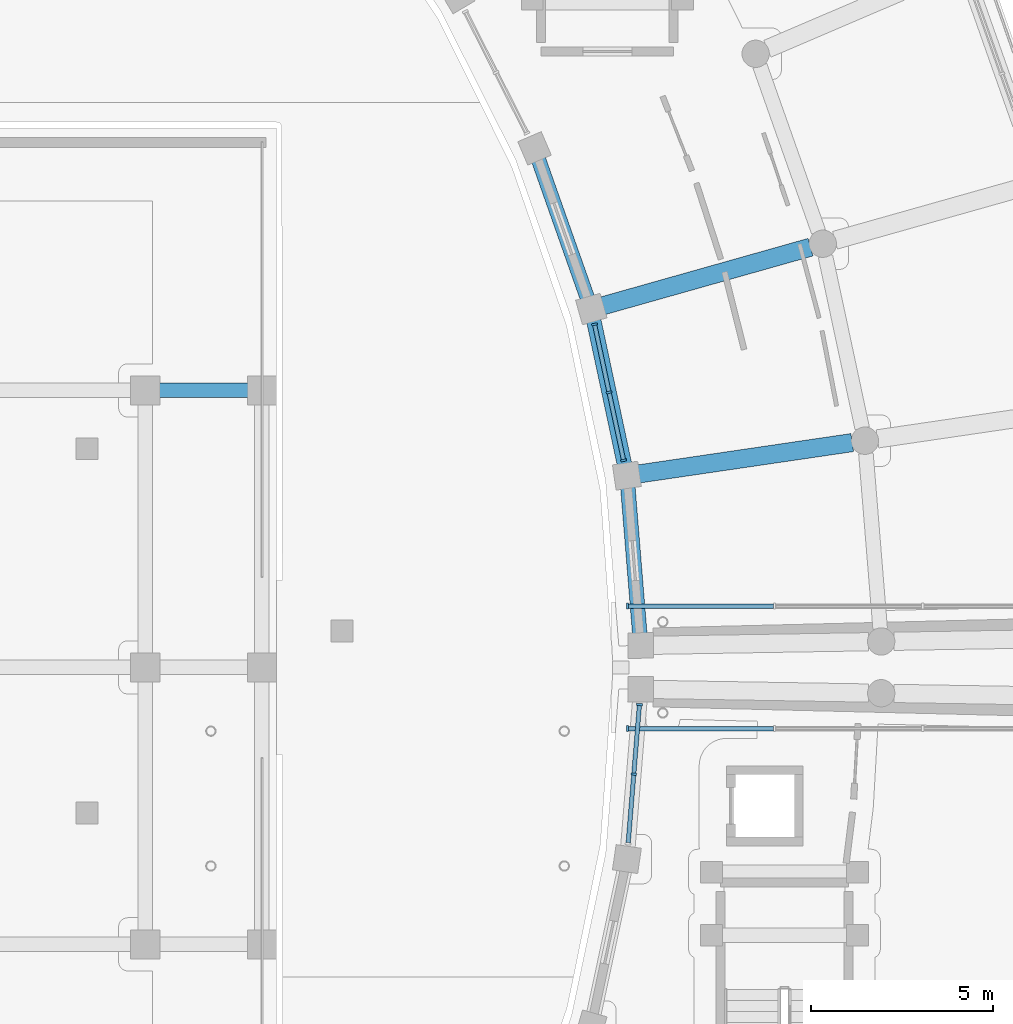
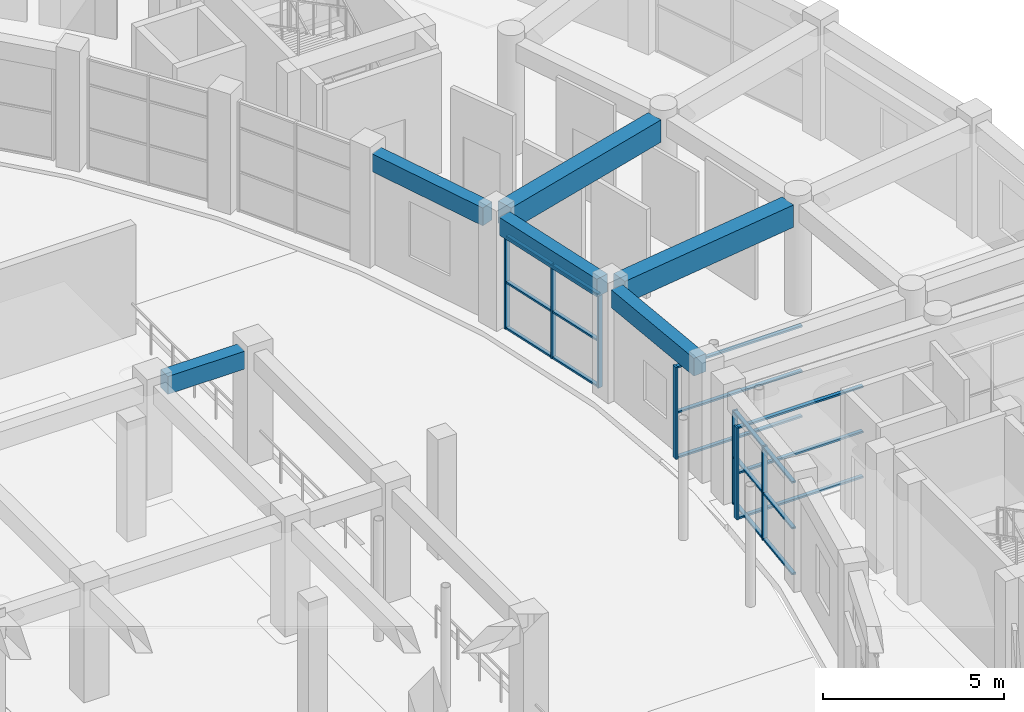
# One storey, part 36 of 87: 25 members, 6 beams, 4 elements without a shape of their own.
"""IFC4 building model written with IfcOpenShell, lengths in metres."""

from ifc_helpers import new_model, si_unit, direction, frame, origin, origin_2d, place, context, subcontext, project, spatial, rectangle, extrude, material, material_profile, profile_set, type_object, element, aggregate, save


model = new_model("IFC4")

# Units and contexts
model_context = context("Model", 3, precision=1e-05, world=origin(), true_north=direction((0.0, 1.0)))
body_context = subcontext(model_context, "Body", "Model", "MODEL_VIEW")
ifc_project = project(units=[si_unit("LENGTHUNIT", "METRE"), si_unit("AREAUNIT", "SQUARE_METRE"), si_unit("VOLUMEUNIT", "CUBIC_METRE"), si_unit("PLANEANGLEUNIT", "RADIAN"), si_unit("MASSUNIT", "GRAM", prefix="KILO")], contexts=[model_context])

# Site, building, storey
site_placement = place(None, origin())
site = spatial("IfcSite", under=ifc_project, at=site_placement, CompositionType="ELEMENT")
building_placement = place(site_placement, origin())
building = spatial("IfcBuilding", under=site, at=building_placement, Name="Saryqyr Civic Hall", CompositionType="ELEMENT")
storey_placement = place(building_placement, frame((0.0, 0.0, 5.10009765625)))
storey = spatial("IfcBuildingStorey", under=building, at=storey_placement, Name="L01", CompositionType="ELEMENT", Elevation=5.10009765625)

# Curtain wall, members
ifc_material_1 = material(Name="Anodised aluminium and triple low-E glass", Category="aluminium")
curtain_wall_type_1 = type_object("IfcCurtainWallType", Name="ENV-CW-STD-17", PredefinedType="NOTDEFINED", material=ifc_material_1)
curtain_wall_1_placement = place(storey_placement, origin())
curtain_wall_1 = element("IfcCurtainWall", 1, at=curtain_wall_1_placement, inside=storey, type_object=curtain_wall_type_1, Name="Curtain wall V5-CWI-L01-09", PredefinedType="NOTDEFINED")
ifc_material_2 = material(Name="Anodised aluminium", Category="aluminium")
ifc_material_profile_1 = material_profile(ifc_material_2, rectangle(XDim=0.06005859375, YDim=0.159912109375, at=origin_2d()), Name="ALU MULLION 60x160")
ifc_profile_set_1 = profile_set([ifc_material_profile_1], Name="Anodised aluminium")
member_type_1 = type_object("IfcMemberType", Name="ENV-CW-MUL-180", PredefinedType="MULLION", material=ifc_profile_set_1)
member_1_placement = place(storey_placement, frame((93.00537109375, 81.06982421875, 0.0), z_axis=(0.0, 0.0, 1.0), x_axis=(0.081125567196, 0.996703889, 0.0)))
member_1 = element("IfcMember", 2, at=member_1_placement, type_object=member_type_1, Name="CW-17 mullion 2", PredefinedType="MULLION", context=body_context, shape_type="SweptSolid", body=[
    extrude(rectangle(XDim=0.06005859375, YDim=0.159912109375, at=origin_2d()), origin(), (0.0, 0.0, 1.0), 3.14501953125),
])
member_2_placement = place(storey_placement, frame((93.160888671875, 82.97998046875, 0.0), z_axis=(0.0, 0.0, 1.0), x_axis=(0.081125567196, 0.996703889, 0.0)))
member_2 = element("IfcMember", 3, at=member_2_placement, type_object=member_type_1, Name="CW-17 mullion 3", PredefinedType="MULLION", context=body_context, shape_type="SweptSolid", body=[
    extrude(rectangle(XDim=0.06005859375, YDim=0.159912109375, at=origin_2d()), origin(), (0.0, 0.0, 1.0), 3.14501953125),
])

curtain_wall_2_placement = place(storey_placement, origin())
curtain_wall_2 = element("IfcCurtainWall", 4, at=curtain_wall_2_placement, inside=storey, type_object=curtain_wall_type_1, Name="Curtain wall V6-CWI-L01-01", PredefinedType="NOTDEFINED")
member_3_placement = place(storey_placement, frame((92.726318359375, 89.679443359375, 0.0), z_axis=(0.0, 0.0, 1.0), x_axis=(-0.208889731918, 0.977939200513, 0.0)))
member_3 = element("IfcMember", 5, at=member_3_placement, type_object=member_type_1, Name="CW-17 mullion 1", PredefinedType="MULLION", context=body_context, shape_type="SweptSolid", body=[
    extrude(rectangle(XDim=0.06005859375, YDim=0.159912109375, at=origin_2d()), origin(), (0.0, 0.0, 1.0), 3.14501953125),
])
member_4_placement = place(storey_placement, frame((92.327392578125, 91.546142578125, 0.0), z_axis=(0.0, 0.0, 1.0), x_axis=(-0.208889731918, 0.977939200513, 0.0)))
member_4 = element("IfcMember", 6, at=member_4_placement, type_object=member_type_1, Name="CW-17 mullion 2", PredefinedType="MULLION", context=body_context, shape_type="SweptSolid", body=[
    extrude(rectangle(XDim=0.06005859375, YDim=0.159912109375, at=origin_2d()), origin(), (0.0, 0.0, 1.0), 3.14501953125),
])
member_5_placement = place(storey_placement, frame((91.9287109375, 93.412841796875, 0.0), z_axis=(0.0, 0.0, 1.0), x_axis=(-0.208889731918, 0.977939200513, 0.0)))
member_5 = element("IfcMember", 7, at=member_5_placement, type_object=member_type_1, Name="CW-17 mullion 3", PredefinedType="MULLION", context=body_context, shape_type="SweptSolid", body=[
    extrude(rectangle(XDim=0.06005859375, YDim=0.159912109375, at=origin_2d()), origin(), (0.0, 0.0, 1.0), 3.14501953125),
])

# Curtain wall, member
curtain_wall_type_2 = type_object("IfcCurtainWallType", Name="ENV-CW-STD-81", PredefinedType="NOTDEFINED", material=ifc_material_1)
curtain_wall_3_placement = place(storey_placement, origin())
curtain_wall_3 = element("IfcCurtainWall", 8, at=curtain_wall_3_placement, inside=storey, type_object=curtain_wall_type_2, Name="Curtain wall BR-E-CW1-L01", PredefinedType="NOTDEFINED")
member_6_placement = place(storey_placement, frame((92.830078125, 82.320068359375, 0.0), z_axis=(0.0, 0.0, 1.0), x_axis=(-1.0, 0.0, 0.0)))
member_6 = element("IfcMember", 9, at=member_6_placement, type_object=member_type_1, Name="CW-81 mullion 4", PredefinedType="MULLION", context=body_context, shape_type="SweptSolid", body=[
    extrude(rectangle(XDim=0.06005859375, YDim=0.159912109375, at=origin_2d()), origin(), (0.0, 0.0, 1.0), 3.099853515625),
])

curtain_wall_4_placement = place(storey_placement, origin())
curtain_wall_4 = element("IfcCurtainWall", 10, at=curtain_wall_4_placement, inside=storey, type_object=curtain_wall_type_2, Name="Curtain wall BR-E-CW2-L01", PredefinedType="NOTDEFINED")
member_7_placement = place(storey_placement, frame((92.830078125, 85.679931640625, 0.0), z_axis=(0.0, 0.0, 1.0), x_axis=(1.0, 0.0, 0.0)))
member_7 = element("IfcMember", 11, at=member_7_placement, type_object=member_type_1, Name="CW-81 mullion 1", PredefinedType="MULLION", context=body_context, shape_type="SweptSolid", body=[
    extrude(rectangle(XDim=0.06005859375, YDim=0.159912109375, at=origin_2d()), origin(), (0.0, 0.0, 1.0), 3.099853515625),
])

# Member
ifc_material_profile_2 = material_profile(ifc_material_2, rectangle(XDim=0.1201171875, YDim=0.06005859375, at=origin_2d()), Name="ALU TRANSOM 120x60")
ifc_profile_set_2 = profile_set([ifc_material_profile_2], Name="Anodised aluminium")
member_type_2 = type_object("IfcMemberType", Name="ENV-CW-TRN-150", PredefinedType="USERDEFINED", material=ifc_profile_set_2)
member_8_placement = place(storey_placement, frame((92.852294921875, 79.189697265625, 0.02978515625), z_axis=(0.08114072283, 0.996702655308, 0.0), x_axis=(-0.996702655308, 0.08114072283, 0.0)))
member_8 = element("IfcMember", 12, at=member_8_placement, type_object=member_type_2, Name="CW-17 transom 1.1", ObjectType="TRANSOM", PredefinedType="USERDEFINED", context=body_context, shape_type="SweptSolid", body=[
    extrude(rectangle(XDim=0.1201171875, YDim=0.06005859375, at=origin_2d()), origin(), (0.0, 0.0, 1.0), 1.8564453125),
])

member_9_placement = place(storey_placement, frame((92.852294921875, 79.189697265625, 1.572021484375), z_axis=(0.08114072283, 0.996702655308, 0.0), x_axis=(-0.996702655308, 0.08114072283, 0.0)))
member_9 = element("IfcMember", 13, at=member_9_placement, type_object=member_type_2, Name="CW-17 transom 1.2", ObjectType="TRANSOM", PredefinedType="USERDEFINED", context=body_context, shape_type="SweptSolid", body=[
    extrude(rectangle(XDim=0.1201171875, YDim=0.06005859375, at=origin_2d()), origin(), (0.0, 0.0, 1.0), 1.8564453125),
])

member_10_placement = place(storey_placement, frame((92.852294921875, 79.189697265625, 3.114990234375), z_axis=(0.08114072283, 0.996702655308, 0.0), x_axis=(-0.996702655308, 0.08114072283, 0.0)))
member_10 = element("IfcMember", 14, at=member_10_placement, type_object=member_type_2, Name="CW-17 transom 1.3", ObjectType="TRANSOM", PredefinedType="USERDEFINED", context=body_context, shape_type="SweptSolid", body=[
    extrude(rectangle(XDim=0.1201171875, YDim=0.06005859375, at=origin_2d()), origin(), (0.0, 0.0, 1.0), 1.8564453125),
])

member_11_placement = place(storey_placement, frame((93.0078125, 81.099853515625, 0.02978515625), z_axis=(0.081151359726, 0.99670178931, 0.0), x_axis=(-0.99670178931, 0.081151359726, 0.0)))
member_11 = element("IfcMember", 15, at=member_11_placement, type_object=member_type_2, Name="CW-17 transom 2.1", ObjectType="TRANSOM", PredefinedType="USERDEFINED", context=body_context, shape_type="SweptSolid", body=[
    extrude(rectangle(XDim=0.1201171875, YDim=0.06005859375, at=origin_2d()), origin(), (0.0, 0.0, 1.0), 1.856201171875),
])

member_12_placement = place(storey_placement, frame((93.0078125, 81.099853515625, 1.572021484375), z_axis=(0.081151359726, 0.99670178931, 0.0), x_axis=(-0.99670178931, 0.081151359726, 0.0)))
member_12 = element("IfcMember", 16, at=member_12_placement, type_object=member_type_2, Name="CW-17 transom 2.2", ObjectType="TRANSOM", PredefinedType="USERDEFINED", context=body_context, shape_type="SweptSolid", body=[
    extrude(rectangle(XDim=0.1201171875, YDim=0.06005859375, at=origin_2d()), origin(), (0.0, 0.0, 1.0), 1.856201171875),
])

member_13_placement = place(storey_placement, frame((93.0078125, 81.099853515625, 3.114990234375), z_axis=(0.081151359726, 0.99670178931, 0.0), x_axis=(-0.99670178931, 0.081151359726, 0.0)))
member_13 = element("IfcMember", 17, at=member_13_placement, type_object=member_type_2, Name="CW-17 transom 2.3", ObjectType="TRANSOM", PredefinedType="USERDEFINED", context=body_context, shape_type="SweptSolid", body=[
    extrude(rectangle(XDim=0.1201171875, YDim=0.06005859375, at=origin_2d()), origin(), (0.0, 0.0, 1.0), 1.856201171875),
])

aggregate(curtain_wall_1, [member_1, member_2, member_8, member_9, member_10, member_11, member_12, member_13])

member_14_placement = place(storey_placement, frame((92.719970703125, 89.708740234375, 0.02978515625), z_axis=(-0.208897797676, 0.977937477616, 0.0), x_axis=(-0.977937477616, -0.208897797676, 0.0)))
member_14 = element("IfcMember", 18, at=member_14_placement, type_object=member_type_2, Name="CW-17 transom 1.1", ObjectType="TRANSOM", PredefinedType="USERDEFINED", context=body_context, shape_type="SweptSolid", body=[
    extrude(rectangle(XDim=0.1201171875, YDim=0.06005859375, at=origin_2d()), origin(), (0.0, 0.0, 1.0), 1.848876953125),
])

member_15_placement = place(storey_placement, frame((92.719970703125, 89.708740234375, 1.572021484375), z_axis=(-0.208897797676, 0.977937477616, 0.0), x_axis=(-0.977937477616, -0.208897797676, 0.0)))
member_15 = element("IfcMember", 19, at=member_15_placement, type_object=member_type_2, Name="CW-17 transom 1.2", ObjectType="TRANSOM", PredefinedType="USERDEFINED", context=body_context, shape_type="SweptSolid", body=[
    extrude(rectangle(XDim=0.1201171875, YDim=0.06005859375, at=origin_2d()), origin(), (0.0, 0.0, 1.0), 1.848876953125),
])

member_16_placement = place(storey_placement, frame((92.719970703125, 89.708740234375, 3.114990234375), z_axis=(-0.208897797676, 0.977937477616, 0.0), x_axis=(-0.977937477616, -0.208897797676, 0.0)))
member_16 = element("IfcMember", 20, at=member_16_placement, type_object=member_type_2, Name="CW-17 transom 1.3", ObjectType="TRANSOM", PredefinedType="USERDEFINED", context=body_context, shape_type="SweptSolid", body=[
    extrude(rectangle(XDim=0.1201171875, YDim=0.06005859375, at=origin_2d()), origin(), (0.0, 0.0, 1.0), 1.848876953125),
])

member_17_placement = place(storey_placement, frame((92.3212890625, 91.575439453125, 0.02978515625), z_axis=(-0.208897797676, 0.977937477616, 0.0), x_axis=(-0.977937477616, -0.208897797676, 0.0)))
member_17 = element("IfcMember", 21, at=member_17_placement, type_object=member_type_2, Name="CW-17 transom 2.1", ObjectType="TRANSOM", PredefinedType="USERDEFINED", context=body_context, shape_type="SweptSolid", body=[
    extrude(rectangle(XDim=0.1201171875, YDim=0.06005859375, at=origin_2d()), origin(), (0.0, 0.0, 1.0), 1.848876953125),
])

member_18_placement = place(storey_placement, frame((92.3212890625, 91.575439453125, 1.572021484375), z_axis=(-0.208897797676, 0.977937477616, 0.0), x_axis=(-0.977937477616, -0.208897797676, 0.0)))
member_18 = element("IfcMember", 22, at=member_18_placement, type_object=member_type_2, Name="CW-17 transom 2.2", ObjectType="TRANSOM", PredefinedType="USERDEFINED", context=body_context, shape_type="SweptSolid", body=[
    extrude(rectangle(XDim=0.1201171875, YDim=0.06005859375, at=origin_2d()), origin(), (0.0, 0.0, 1.0), 1.848876953125),
])

member_19_placement = place(storey_placement, frame((92.3212890625, 91.575439453125, 3.114990234375), z_axis=(-0.208897797676, 0.977937477616, 0.0), x_axis=(-0.977937477616, -0.208897797676, 0.0)))
member_19 = element("IfcMember", 23, at=member_19_placement, type_object=member_type_2, Name="CW-17 transom 2.3", ObjectType="TRANSOM", PredefinedType="USERDEFINED", context=body_context, shape_type="SweptSolid", body=[
    extrude(rectangle(XDim=0.1201171875, YDim=0.06005859375, at=origin_2d()), origin(), (0.0, 0.0, 1.0), 1.848876953125),
])

aggregate(curtain_wall_2, [member_3, member_4, member_5, member_14, member_15, member_16, member_17, member_18, member_19])

member_20_placement = place(storey_placement, frame((96.836669921875, 82.320068359375, 0.02978515625), z_axis=(-1.0, 0.0, 0.0), x_axis=(0.0, -1.0, 0.0)))
member_20 = element("IfcMember", 24, at=member_20_placement, type_object=member_type_2, Name="CW-81 transom 3.1", ObjectType="TRANSOM", PredefinedType="USERDEFINED", context=body_context, shape_type="SweptSolid", body=[
    extrude(rectangle(XDim=0.1201171875, YDim=0.06005859375, at=origin_2d()), origin(), (0.0, 0.0, 1.0), 3.9765625),
])

member_21_placement = place(storey_placement, frame((96.836669921875, 82.320068359375, 1.5498046875), z_axis=(-1.0, 0.0, 0.0), x_axis=(0.0, -1.0, 0.0)))
member_21 = element("IfcMember", 25, at=member_21_placement, type_object=member_type_2, Name="CW-81 transom 3.2", ObjectType="TRANSOM", PredefinedType="USERDEFINED", context=body_context, shape_type="SweptSolid", body=[
    extrude(rectangle(XDim=0.1201171875, YDim=0.06005859375, at=origin_2d()), origin(), (0.0, 0.0, 1.0), 3.9765625),
])

member_22_placement = place(storey_placement, frame((96.836669921875, 82.320068359375, 3.06982421875), z_axis=(-1.0, 0.0, 0.0), x_axis=(0.0, -1.0, 0.0)))
member_22 = element("IfcMember", 26, at=member_22_placement, type_object=member_type_2, Name="CW-81 transom 3.3", ObjectType="TRANSOM", PredefinedType="USERDEFINED", context=body_context, shape_type="SweptSolid", body=[
    extrude(rectangle(XDim=0.1201171875, YDim=0.06005859375, at=origin_2d()), origin(), (0.0, 0.0, 1.0), 3.9765625),
])

aggregate(curtain_wall_3, [member_6, member_20, member_21, member_22])

member_23_placement = place(storey_placement, frame((92.860107421875, 85.679931640625, 0.02978515625), z_axis=(1.0, 0.0, 0.0), x_axis=(0.0, 1.0, 0.0)))
member_23 = element("IfcMember", 27, at=member_23_placement, type_object=member_type_2, Name="CW-81 transom 1.1", ObjectType="TRANSOM", PredefinedType="USERDEFINED", context=body_context, shape_type="SweptSolid", body=[
    extrude(rectangle(XDim=0.1201171875, YDim=0.06005859375, at=origin_2d()), origin(), (0.0, 0.0, 1.0), 3.9765625),
])

member_24_placement = place(storey_placement, frame((92.860107421875, 85.679931640625, 1.5498046875), z_axis=(1.0, 0.0, 0.0), x_axis=(0.0, 1.0, 0.0)))
member_24 = element("IfcMember", 28, at=member_24_placement, type_object=member_type_2, Name="CW-81 transom 1.2", ObjectType="TRANSOM", PredefinedType="USERDEFINED", context=body_context, shape_type="SweptSolid", body=[
    extrude(rectangle(XDim=0.1201171875, YDim=0.06005859375, at=origin_2d()), origin(), (0.0, 0.0, 1.0), 3.9765625),
])

member_25_placement = place(storey_placement, frame((92.860107421875, 85.679931640625, 3.06982421875), z_axis=(1.0, 0.0, 0.0), x_axis=(0.0, 1.0, 0.0)))
member_25 = element("IfcMember", 29, at=member_25_placement, type_object=member_type_2, Name="CW-81 transom 1.3", ObjectType="TRANSOM", PredefinedType="USERDEFINED", context=body_context, shape_type="SweptSolid", body=[
    extrude(rectangle(XDim=0.1201171875, YDim=0.06005859375, at=origin_2d()), origin(), (0.0, 0.0, 1.0), 3.9765625),
])

aggregate(curtain_wall_4, [member_7, member_23, member_24, member_25])

# Beams
ifc_material_3 = material(Name="Concrete C35/45", Category="concrete")
ifc_material_profile_3 = material_profile(ifc_material_3, rectangle(XDim=0.39990234375, YDim=0.60009765625, at=origin_2d()), Name="RC 400x600")
ifc_profile_set_3 = profile_set([ifc_material_profile_3], Name="Concrete C35/45")
beam_type_1 = type_object("IfcBeamType", Name="STR-BM-RC400x600", PredefinedType="BEAM", material=ifc_profile_set_3)
beam_1_placement = place(storey_placement, frame((79.97509765625, 91.60009765625, 3.469970703125), z_axis=(1.0, 0.0, 0.0), x_axis=(0.0, 1.0, 0.0)))
element("IfcBeam", 30, at=beam_1_placement, inside=storey, type_object=beam_type_1, Name="Beam V1-TBM-06-L01", PredefinedType="BEAM", context=body_context, shape_type="SweptSolid", body=[
    extrude(rectangle(XDim=0.39990234375, YDim=0.60009765625, at=origin_2d()), origin(), (0.0, 0.0, 1.0), 2.449951171875),
])
ifc_material_profile_4 = material_profile(ifc_material_3, rectangle(XDim=0.39990234375, YDim=0.60009765625, at=origin_2d()), Name="RC 400x600")
ifc_profile_set_4 = profile_set([ifc_material_profile_4], Name="Concrete C35/45")
beam_type_2 = type_object("IfcBeamType", Name="STR-BM-RC400x600-EXT", PredefinedType="BEAM", material=ifc_profile_set_4)
for number, where, z_axis, x_axis, name in (
    (31, (93.168701171875, 84.924072265625, 3.469970703125), (-0.08108781834, 0.996706960805, 0.0), (-0.996706960805, -0.08108781834, 0.0), "Beam V6-CBM-IN00-L01"),
    (32, (92.747802734375, 89.577880859375, 3.469970703125), (-0.208882885335, 0.977940662931, 0.0), (-0.977940662931, -0.208882885335, 0.0), "Beam V6-CBM-IN01-L01"),
    (33, (91.73095703125, 94.138671875, 3.469970703125), (-0.333207125393, 0.942853653324, 0.0), (-0.942853653324, -0.333207125393, 0.0), "Beam V6-CBM-IN02-L01"),
):
    element("IfcBeam", number, at=place(storey_placement, frame(where, z_axis=z_axis, x_axis=x_axis)), inside=storey, type_object=beam_type_2, Name=name, PredefinedType="BEAM", context=body_context, shape_type="SweptSolid", body=[
        extrude(rectangle(XDim=0.39990234375, YDim=0.60009765625, at=origin_2d()), origin(), (0.0, 0.0, 1.0), 4.025390625),
    ])
ifc_material_4 = material(Name="Concrete C40/50", Category="concrete")
ifc_material_profile_5 = material_profile(ifc_material_4, rectangle(XDim=0.5, YDim=0.75, at=origin_2d()), Name="RC 500x750")
ifc_profile_set_5 = profile_set([ifc_material_profile_5], Name="Concrete C40/50")
beam_type_3 = type_object("IfcBeamType", Name="STR-BM-RC500x750", PredefinedType="BEAM", material=ifc_profile_set_5)
beam_2_placement = place(storey_placement, frame((93.137451171875, 89.307373046875, 3.39501953125), z_axis=(0.989388945927, 0.145291134203, 0.0), x_axis=(-0.145291134203, 0.989388945927, 0.0)))
element("IfcBeam", 34, at=beam_2_placement, inside=storey, type_object=beam_type_3, Name="Beam V6-RBM-A01-L01", PredefinedType="BEAM", context=body_context, shape_type="SweptSolid", body=[
    extrude(rectangle(XDim=0.5, YDim=0.75, at=origin_2d()), origin(), (0.0, 0.0, 1.0), 5.925048828125),
])
beam_3_placement = place(storey_placement, frame((92.152099609375, 93.92041015625, 3.39501953125), z_axis=(0.962402181768, 0.271628497269, 0.0), x_axis=(-0.271628497269, 0.962402181768, 0.0)))
element("IfcBeam", 35, at=beam_3_placement, inside=storey, type_object=beam_type_3, Name="Beam V6-RBM-A02-L01", PredefinedType="BEAM", context=body_context, shape_type="SweptSolid", body=[
    extrude(rectangle(XDim=0.5, YDim=0.75, at=origin_2d()), origin(), (0.0, 0.0, 1.0), 5.9248046875),
])

save(model, "model.ifc")
